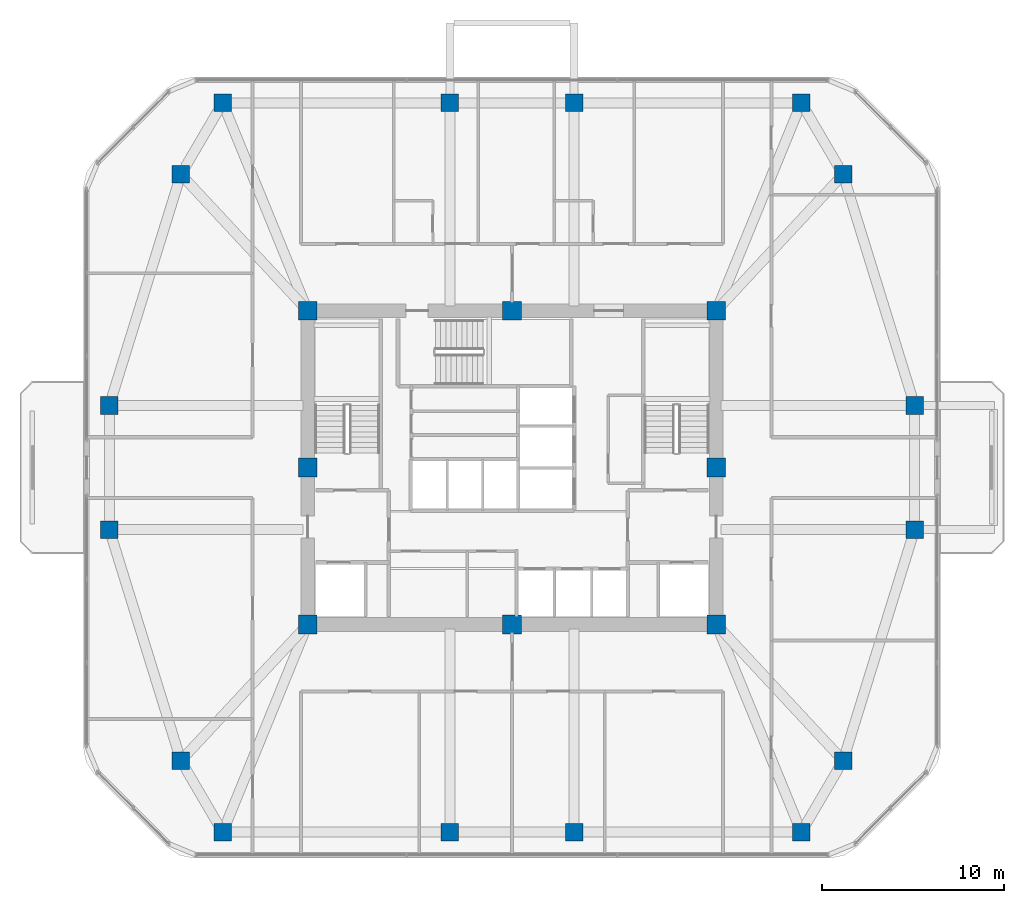
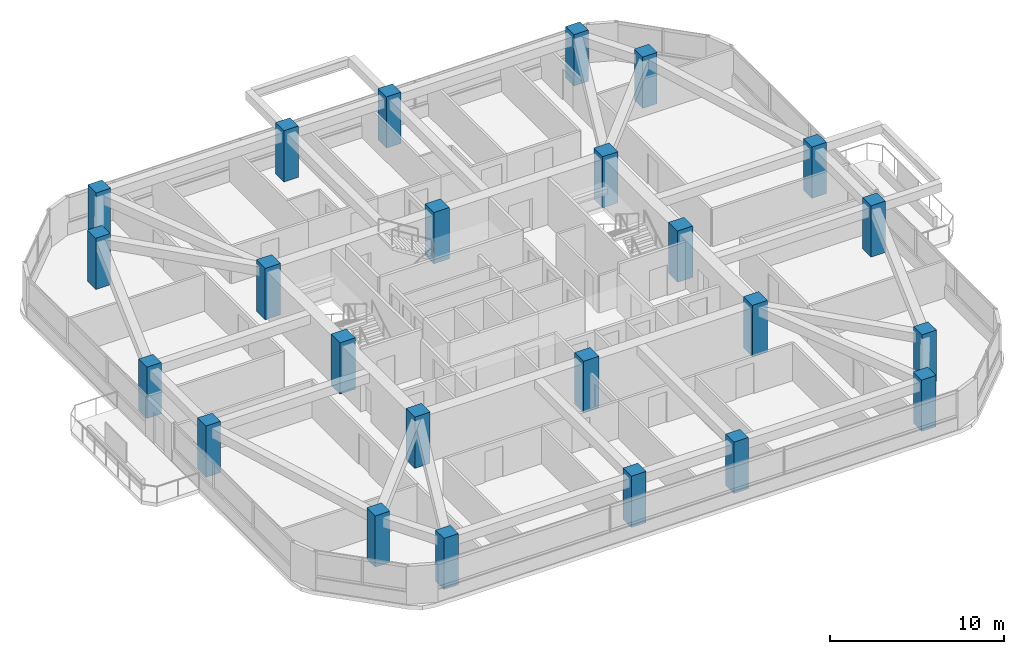
# One storey, part 1 of 13: 24 columns.
"""IFC4 building model written with IfcOpenShell, lengths in metres."""

import ifcopenshell
import ifcopenshell.guid

model = None  # the IFC model being written
_history = None  # IfcOwnerHistory: only IFC2X3 demands one
_inside = {}  # id of a spatial element -> (the spatial element, [elements in it])
_under = {}  # id of a project, library or spatial element -> (it, [spatial elements below it])
_declared = {}  # id of a project -> (the project, [libraries it declares])
_typed = {}  # id of a type object -> (the type object, [elements of that type])
_made_of = {}  # id of a material, layer set ... -> (it, [elements and type objects made of it])


def new_model(schema):
    """Start an empty IFC model of exactly this schema.

    Asked for "IFC4X3", IfcOpenShell would pick the latest addendum, in which some entities
    have other attributes; the version numbers below select the first issue.
    IFC2X3 requires an IfcOwnerHistory on every rooted entity: one is made here for all.
    """
    global model, _history
    if schema == "IFC4X3":
        model = ifcopenshell.file(schema_version=(4, 3, 0, 0))
    else:
        model = ifcopenshell.file(schema=schema)
    _inside.clear()
    _under.clear()
    _declared.clear()
    _typed.clear()
    _made_of.clear()
    _history = None
    if model.schema == "IFC2X3":
        org = make("IfcOrganization", Name="unknown")
        user = make(
            "IfcPersonAndOrganization",
            ThePerson=make("IfcPerson", FamilyName="unknown"),
            TheOrganization=org,
        )
        app = make(
            "IfcApplication",
            ApplicationDeveloper=org,
            Version="unknown",
            ApplicationFullName="unknown",
            ApplicationIdentifier="unknown",
        )
        _history = make(
            "IfcOwnerHistory",
            OwningUser=user,
            OwningApplication=app,
            ChangeAction="ADDED",
            CreationDate=0,
        )
    return model


def make(cls, **values):
    """One entity of the class cls with the attributes given. An attribute that is None is left unset."""
    return model.create_entity(
        cls, **{name: value for name, value in values.items() if value is not None}
    )


def rooted(cls, **values):
    """An entity with a GlobalId (a new one), such as an element, a storey or a relation."""
    return make(cls, GlobalId=ifcopenshell.guid.new(), OwnerHistory=_history, **values)


def si_unit(unit_type, name, prefix=None):
    """IfcSIUnit, for example si_unit("LENGTHUNIT", "METRE", prefix="MILLI")."""
    return make("IfcSIUnit", UnitType=unit_type, Prefix=prefix, Name=name)


def derived_unit(unit_type, elements):
    """IfcDerivedUnit: a product of units, each with its exponent."""
    return make(
        "IfcDerivedUnit",
        Elements=[
            make("IfcDerivedUnitElement", Unit=unit, Exponent=power)
            for unit, power in elements
        ],
        UnitType=unit_type,
    )


def assignment(units):
    """IfcUnitAssignment: the units of a project."""
    return None if units is None else make("IfcUnitAssignment", Units=units)


def point(xyz):
    """IfcCartesianPoint."""
    return None if xyz is None else make("IfcCartesianPoint", Coordinates=xyz)


def direction(xyz):
    """IfcDirection."""
    return None if xyz is None else make("IfcDirection", DirectionRatios=xyz)


def frame(location, z_axis=None, x_axis=None):
    """IfcAxis2Placement3D, a coordinate frame: its origin and axes. An axis left out is left unset."""
    return make(
        "IfcAxis2Placement3D",
        Location=point(location),
        Axis=direction(z_axis),
        RefDirection=direction(x_axis),
    )


def frame_2d(location, x_axis=None):
    """IfcAxis2Placement2D, a coordinate frame in the plane: its origin and x axis."""
    return make(
        "IfcAxis2Placement2D", Location=point(location), RefDirection=direction(x_axis)
    )


def origin():
    """The frame at (0, 0, 0) with its axes left unset."""
    return frame((0.0, 0.0, 0.0))


def origin_2d():
    """The frame at (0, 0) in the plane with its x axis left unset."""
    return frame_2d((0.0, 0.0))


def place(relative_to, where):
    """IfcLocalPlacement: puts the frame where relative to a parent placement (None: the world)."""
    return make(
        "IfcLocalPlacement", PlacementRelTo=relative_to, RelativePlacement=where
    )


def context(
    kind, dimensions, precision=None, world=None, true_north=None, identifier=None
):
    """IfcGeometricRepresentationContext, for example the 3D "Model" context."""
    return make(
        "IfcGeometricRepresentationContext",
        ContextIdentifier=identifier,
        ContextType=kind,
        CoordinateSpaceDimension=dimensions,
        Precision=precision,
        WorldCoordinateSystem=world,
        TrueNorth=true_north,
    )


def subcontext(parent, identifier, kind, view, scale=None):
    """IfcGeometricRepresentationSubContext, for example "Body" below "Model"."""
    return make(
        "IfcGeometricRepresentationSubContext",
        ContextIdentifier=identifier,
        ContextType=kind,
        ParentContext=parent,
        TargetScale=scale,
        TargetView=view,
    )


def project(units=None, contexts=None):
    """IfcProject with its units and contexts."""
    return rooted(
        "IfcProject",
        Name="project",
        RepresentationContexts=contexts,
        UnitsInContext=assignment(units),
    )


def spatial(cls, under=None, at=None, **own):
    """A site, building, storey or space (cls), placed at a placement, below another one or the project."""
    s = rooted(cls, ObjectPlacement=at, **own)
    if under is not None:
        _under.setdefault(under.id(), (under, []))[1].append(s)
    return s


def profile(cls, at=None, kind="AREA", **sizes):
    """A parametric profile (cls). Its sizes go by their IFC names, for example OverallWidth=200.0."""
    return make(cls, ProfileType=kind, Position=at, **sizes)


def rectangle(**sizes):
    """IfcRectangleProfileDef."""
    return profile("IfcRectangleProfileDef", **sizes)


def extrude(swept, where, along, depth):
    """IfcExtrudedAreaSolid: the profile swept, set in the frame where, extruded along a direction by depth."""
    return make(
        "IfcExtrudedAreaSolid",
        SweptArea=swept,
        Position=where,
        ExtrudedDirection=direction(along),
        Depth=depth,
    )


def shape(context_of_items, identifier, shape_type, items):
    """IfcShapeRepresentation: the items that make up one representation, for example the "Body"."""
    return make(
        "IfcShapeRepresentation",
        ContextOfItems=context_of_items,
        RepresentationIdentifier=identifier,
        RepresentationType=shape_type,
        Items=items,
    )


def material(Name=None, Category=None):
    """IfcMaterial."""
    return make("IfcMaterial", Name=Name, Category=Category)


def material_profile(
    of_material, cross_section, Name=None, Category=None, Priority=None
):
    """IfcMaterialProfile: a cross section and its material."""
    return make(
        "IfcMaterialProfile",
        Name=Name,
        Material=of_material,
        Profile=cross_section,
        Priority=Priority,
        Category=Category,
    )


def profile_set(profiles, Name=None, composite=None):
    """IfcMaterialProfileSet."""
    return make(
        "IfcMaterialProfileSet",
        Name=Name,
        MaterialProfiles=profiles,
        CompositeProfile=composite,
    )


def made_of(thing, what):
    """Note that an element or type object is made of a material, layer set ...; save() writes the relation."""
    if what is not None:
        _made_of.setdefault(what.id(), (what, []))[1].append(thing)
    return thing


def type_object(cls, material=None, **own):
    """A type object (cls), such as IfcWallType, which elements share."""
    return made_of(rooted(cls, **own), material)


def element(
    cls,
    number,
    at=None,
    inside=None,
    cuts=None,
    type_object=None,
    material=None,
    context=None,
    identifier="Body",
    shape_type=None,
    held_by="IfcProductDefinitionShape",
    body=None,
    shapes=None,
    **own,
):
    """One element of the class cls, such as IfcWall. Its Tag is "e" and its number.

    at: its placement. inside: the storey or other place that contains it. cuts: it is an
    opening in that element (IfcRelVoidsElement). A single representation is given by context,
    identifier, shape_type and body (its items); several are given by shapes. held_by: the class
    of the entity that holds the representations. save() writes the other relations.
    """
    e = rooted(cls, Tag="e%d" % number, ObjectPlacement=at, **own)
    if body is not None:
        shapes = [shape(context, identifier, shape_type, body)]
    if shapes is not None:
        e.Representation = make(held_by, Representations=shapes)
    if inside is not None:
        _inside.setdefault(inside.id(), (inside, []))[1].append(e)
    if cuts is not None:
        rooted(
            "IfcRelVoidsElement", RelatingBuildingElement=cuts, RelatedOpeningElement=e
        )
    if type_object is not None:
        _typed.setdefault(type_object.id(), (type_object, []))[1].append(e)
    return made_of(e, material)


def aggregate(whole, parts):
    """IfcRelAggregates: a whole, such as a stair, and the parts it consists of."""
    return rooted("IfcRelAggregates", RelatingObject=whole, RelatedObjects=parts)


def save(model, path):
    """Write the relations noted so far, then the file.

    IfcRelAggregates (storeys below a building ...), IfcRelContainedInSpatialStructure (elements
    in a storey), IfcRelDefinesByType, IfcRelAssociatesMaterial and IfcRelDeclares: one each for
    every whole, place, type object, material and project.
    """
    for whole, parts in _under.values():
        aggregate(whole, parts)
    for where, things in _inside.values():
        rooted(
            "IfcRelContainedInSpatialStructure",
            RelatedElements=things,
            RelatingStructure=where,
        )
    for kind, things in _typed.values():
        rooted("IfcRelDefinesByType", RelatedObjects=things, RelatingType=kind)
    for what, things in _made_of.values():
        rooted("IfcRelAssociatesMaterial", RelatedObjects=things, RelatingMaterial=what)
    for by, libraries in _declared.values():
        rooted("IfcRelDeclares", RelatingContext=by, RelatedDefinitions=libraries)
    model.write(path)


model = new_model("IFC4")

# Units and contexts
model_context = context("Model", 3, precision=1e-05, world=origin(), true_north=direction((0.0, 1.0)))
body_context = subcontext(model_context, "Body", "Model", "MODEL_VIEW")
ifc_project = project(units=[si_unit("LENGTHUNIT", "METRE"), si_unit("AREAUNIT", "SQUARE_METRE"), si_unit("VOLUMEUNIT", "CUBIC_METRE"), si_unit("PLANEANGLEUNIT", "RADIAN"), si_unit("MASSUNIT", "GRAM", prefix="KILO"), derived_unit("THERMALTRANSMITTANCEUNIT", [(si_unit("POWERUNIT", "WATT"), 1), (si_unit("LENGTHUNIT", "METRE"), -2), (si_unit("THERMODYNAMICTEMPERATUREUNIT", "KELVIN"), -1)])], contexts=[model_context])

# Site, building, storey
site_placement = place(None, origin())
site = spatial("IfcSite", under=ifc_project, at=site_placement, CompositionType="ELEMENT")
building_placement = place(site_placement, origin())
building = spatial("IfcBuilding", under=site, at=building_placement, Name="Koralith Skygarden Medical Center", CompositionType="ELEMENT")
storey_placement = place(building_placement, frame((0.0, 0.0, 142.02001953125)))
storey = spatial("IfcBuildingStorey", under=building, at=storey_placement, Name="L36", CompositionType="ELEMENT", Elevation=142.02001953125)

# Columns
ifc_material_1 = material(Name="Concrete C70/85", Category="concrete")
ifc_material_profile_1 = material_profile(ifc_material_1, rectangle(XDim=1.02001953125, YDim=1.02001953125, at=origin_2d()), Name="RC1020X1020")
ifc_profile_set_1 = profile_set([ifc_material_profile_1], Name="Concrete C70/85")
column_type_1 = type_object("IfcColumnType", Name="Core Mega-Column C70 RC1020", PredefinedType="COLUMN", material=ifc_profile_set_1)
for number, where, z_axis, x_axis, name in (
    (1, (25.800048828125, 17.300048828125, 0.0), (0.0, 0.0, 1.0), (1.0, 0.0, 0.0), "L36 Core Column CC-01"),
    (2, (37.0, 17.300048828125, 0.0), (0.0, 0.0, 1.0), (1.0, 0.0, 0.0), "L36 Core Column CC-02"),
    (3, (48.199951171875, 17.300048828125, 0.0), (0.0, 0.0, 1.0), (1.0, 0.0, 0.0), "L36 Core Column CC-03"),
    (4, (48.199951171875, 25.89990234375, 0.0), (0.0, 0.0, 1.0), (1.0, 0.0, 0.0), "L36 Core Column CC-04"),
    (5, (48.199951171875, 34.5, 0.0), (0.0, 0.0, 1.0), (1.0, 0.0, 0.0), "L36 Core Column CC-05"),
    (6, (37.0, 34.5, 0.0), (0.0, 0.0, 1.0), (1.0, 0.0, 0.0), "L36 Core Column CC-06"),
    (7, (25.800048828125, 34.5, 0.0), (0.0, 0.0, 1.0), (1.0, 0.0, 0.0), "L36 Core Column CC-07"),
    (8, (25.800048828125, 25.89990234375, 0.0), (0.0, 0.0, 1.0), (1.0, 0.0, 0.0), "L36 Core Column CC-08"),
):
    element("IfcColumn", number, at=place(storey_placement, frame(where, z_axis=z_axis, x_axis=x_axis)), inside=storey, type_object=column_type_1, Name=name, PredefinedType="COLUMN", context=body_context, shape_type="SweptSolid", body=[
        extrude(rectangle(XDim=1.02001953125, YDim=1.02001953125, at=origin_2d()), origin(), (0.0, 0.0, 1.0), 3.60009765625),
    ])
ifc_material_2 = material(Name="Concrete C55/67", Category="concrete")
ifc_material_profile_2 = material_profile(ifc_material_2, rectangle(XDim=0.9599609375, YDim=0.9599609375, at=origin_2d()), Name="RC960X960")
ifc_profile_set_2 = profile_set([ifc_material_profile_2], Name="Concrete C55/67")
column_type_2 = type_object("IfcColumnType", Name="Zone 3 Waist Mega-Column C55 RC960", PredefinedType="COLUMN", material=ifc_profile_set_2)
for number, where, z_axis, x_axis, name in (
    (9, (14.93603515625, 22.5, 0.0), (0.0, 0.0, 1.0), (1.0, 0.0, 0.0), "L36 Perimeter Mega-Column MC-01"),
    (10, (18.85595703125, 9.840087890625, 0.0), (0.0, 0.0, 1.0), (1.0, 0.0, 0.0), "L36 Perimeter Mega-Column MC-02"),
    (11, (21.14794921875, 5.919921875, 0.0), (0.0, 0.0, 1.0), (1.0, 0.0, 0.0), "L36 Perimeter Mega-Column MC-03"),
    (12, (33.60009765625, 5.919921875, 0.0), (0.0, 0.0, 1.0), (1.0, 0.0, 0.0), "L36 Perimeter Mega-Column MC-04"),
    (13, (40.39990234375, 5.919921875, 0.0), (0.0, 0.0, 1.0), (1.0, 0.0, 0.0), "L36 Perimeter Mega-Column MC-05"),
    (14, (52.85205078125, 5.919921875, 0.0), (0.0, 0.0, 1.0), (1.0, 0.0, 0.0), "L36 Perimeter Mega-Column MC-06"),
    (15, (55.14404296875, 9.840087890625, 0.0), (0.0, 0.0, 1.0), (1.0, 0.0, 0.0), "L36 Perimeter Mega-Column MC-07"),
    (16, (59.06396484375, 22.5, 0.0), (0.0, 0.0, 1.0), (1.0, 0.0, 0.0), "L36 Perimeter Mega-Column MC-08"),
    (17, (59.06396484375, 29.300048828125, 0.0), (0.0, 0.0, 1.0), (1.0, 0.0, 0.0), "L36 Perimeter Mega-Column MC-09"),
    (18, (55.14404296875, 41.9599609375, 0.0), (0.0, 0.0, 1.0), (1.0, 0.0, 0.0), "L36 Perimeter Mega-Column MC-10"),
    (19, (52.85205078125, 45.8798828125, 0.0), (0.0, 0.0, 1.0), (1.0, 0.0, 0.0), "L36 Perimeter Mega-Column MC-11"),
    (20, (40.39990234375, 45.8798828125, 0.0), (0.0, 0.0, 1.0), (1.0, 0.0, 0.0), "L36 Perimeter Mega-Column MC-12"),
    (21, (33.60009765625, 45.8798828125, 0.0), (0.0, 0.0, 1.0), (1.0, 0.0, 0.0), "L36 Perimeter Mega-Column MC-13"),
    (22, (21.14794921875, 45.8798828125, 0.0), (0.0, 0.0, 1.0), (1.0, 0.0, 0.0), "L36 Perimeter Mega-Column MC-14"),
    (23, (18.85595703125, 41.9599609375, 0.0), (0.0, 0.0, 1.0), (1.0, 0.0, 0.0), "L36 Perimeter Mega-Column MC-15"),
    (24, (14.93603515625, 29.300048828125, 0.0), (0.0, 0.0, 1.0), (1.0, 0.0, 0.0), "L36 Perimeter Mega-Column MC-16"),
):
    element("IfcColumn", number, at=place(storey_placement, frame(where, z_axis=z_axis, x_axis=x_axis)), inside=storey, type_object=column_type_2, Name=name, PredefinedType="COLUMN", context=body_context, shape_type="SweptSolid", body=[
        extrude(rectangle(XDim=0.9599609375, YDim=0.9599609375, at=origin_2d()), origin(), (0.0, 0.0, 1.0), 3.60009765625),
    ])

save(model, "model.ifc")
